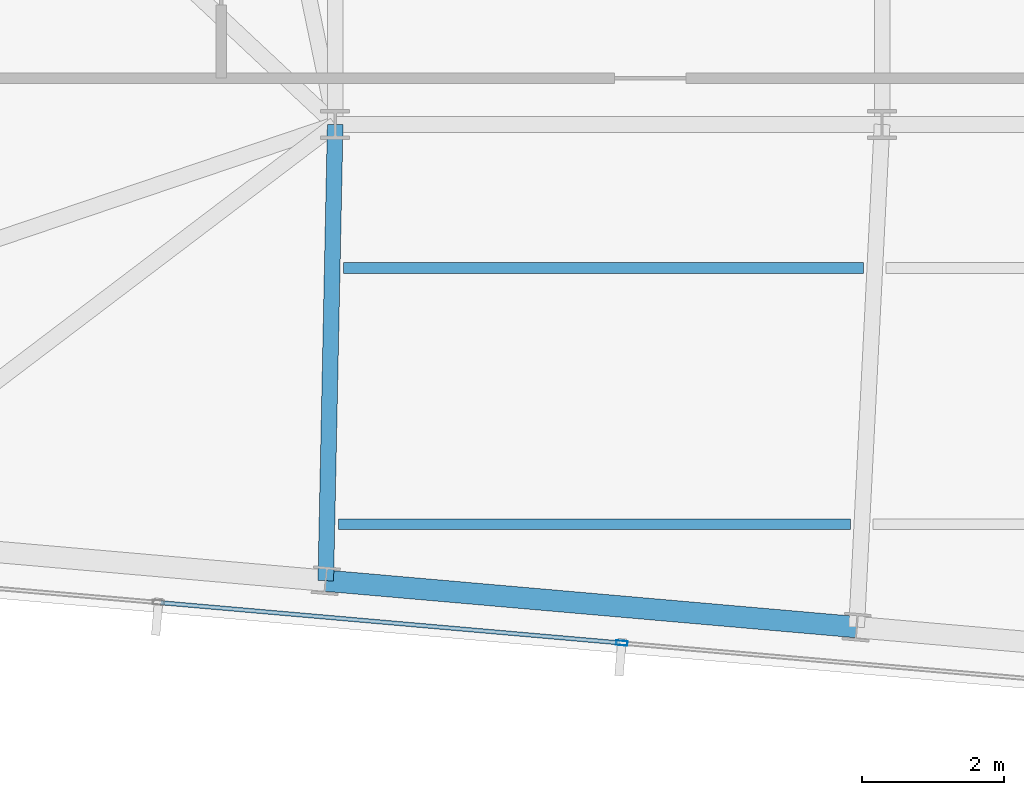
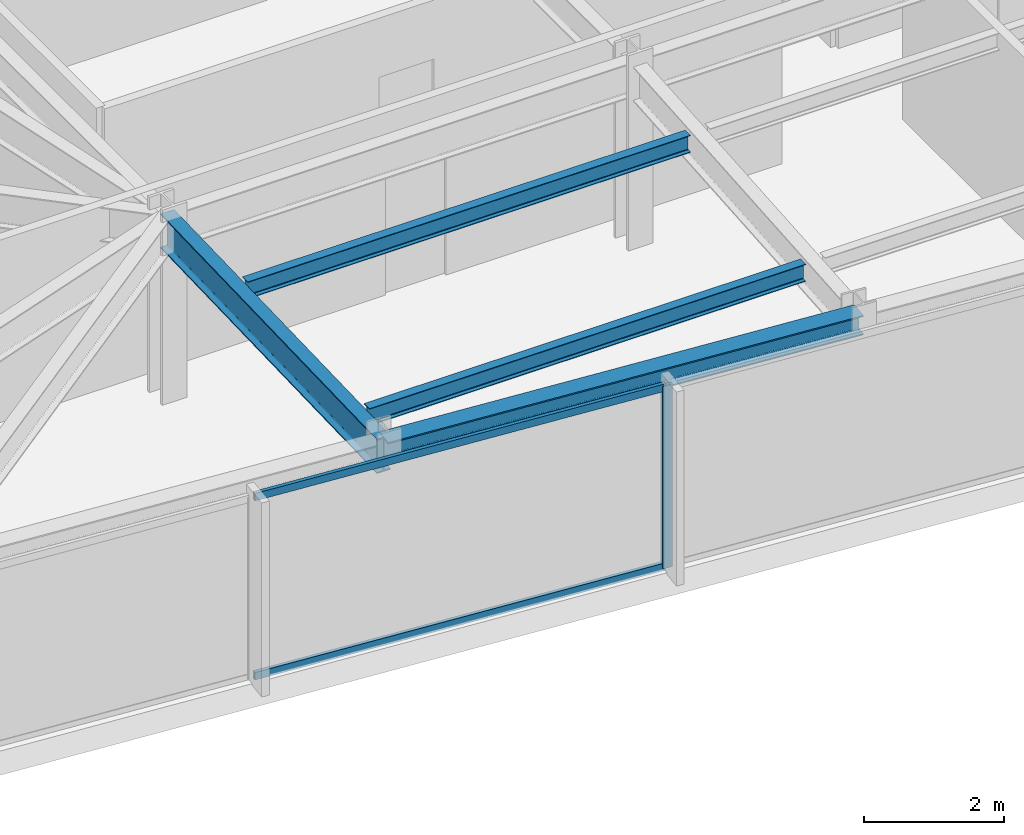
# One storey, part 6 of 32: 4 beams, 3 members, 1 element without a shape of its own.
"""IFC4 building model written with IfcOpenShell, lengths in metres."""

import ifcopenshell
import ifcopenshell.guid

model = None  # the IFC model being written
_history = None  # IfcOwnerHistory: only IFC2X3 demands one
_inside = {}  # id of a spatial element -> (the spatial element, [elements in it])
_under = {}  # id of a project, library or spatial element -> (it, [spatial elements below it])
_declared = {}  # id of a project -> (the project, [libraries it declares])
_typed = {}  # id of a type object -> (the type object, [elements of that type])
_made_of = {}  # id of a material, layer set ... -> (it, [elements and type objects made of it])


def new_model(schema):
    """Start an empty IFC model of exactly this schema.

    Asked for "IFC4X3", IfcOpenShell would pick the latest addendum, in which some entities
    have other attributes; the version numbers below select the first issue.
    IFC2X3 requires an IfcOwnerHistory on every rooted entity: one is made here for all.
    """
    global model, _history
    if schema == "IFC4X3":
        model = ifcopenshell.file(schema_version=(4, 3, 0, 0))
    else:
        model = ifcopenshell.file(schema=schema)
    _inside.clear()
    _under.clear()
    _declared.clear()
    _typed.clear()
    _made_of.clear()
    _history = None
    if model.schema == "IFC2X3":
        org = make("IfcOrganization", Name="unknown")
        user = make(
            "IfcPersonAndOrganization",
            ThePerson=make("IfcPerson", FamilyName="unknown"),
            TheOrganization=org,
        )
        app = make(
            "IfcApplication",
            ApplicationDeveloper=org,
            Version="unknown",
            ApplicationFullName="unknown",
            ApplicationIdentifier="unknown",
        )
        _history = make(
            "IfcOwnerHistory",
            OwningUser=user,
            OwningApplication=app,
            ChangeAction="ADDED",
            CreationDate=0,
        )
    return model


def make(cls, **values):
    """One entity of the class cls with the attributes given. An attribute that is None is left unset."""
    return model.create_entity(
        cls, **{name: value for name, value in values.items() if value is not None}
    )


def rooted(cls, **values):
    """An entity with a GlobalId (a new one), such as an element, a storey or a relation."""
    return make(cls, GlobalId=ifcopenshell.guid.new(), OwnerHistory=_history, **values)


def si_unit(unit_type, name, prefix=None):
    """IfcSIUnit, for example si_unit("LENGTHUNIT", "METRE", prefix="MILLI")."""
    return make("IfcSIUnit", UnitType=unit_type, Prefix=prefix, Name=name)


def assignment(units):
    """IfcUnitAssignment: the units of a project."""
    return None if units is None else make("IfcUnitAssignment", Units=units)


def point(xyz):
    """IfcCartesianPoint."""
    return None if xyz is None else make("IfcCartesianPoint", Coordinates=xyz)


def direction(xyz):
    """IfcDirection."""
    return None if xyz is None else make("IfcDirection", DirectionRatios=xyz)


def frame(location, z_axis=None, x_axis=None):
    """IfcAxis2Placement3D, a coordinate frame: its origin and axes. An axis left out is left unset."""
    return make(
        "IfcAxis2Placement3D",
        Location=point(location),
        Axis=direction(z_axis),
        RefDirection=direction(x_axis),
    )


def frame_2d(location, x_axis=None):
    """IfcAxis2Placement2D, a coordinate frame in the plane: its origin and x axis."""
    return make(
        "IfcAxis2Placement2D", Location=point(location), RefDirection=direction(x_axis)
    )


def origin():
    """The frame at (0, 0, 0) with its axes left unset."""
    return frame((0.0, 0.0, 0.0))


def origin_2d():
    """The frame at (0, 0) in the plane with its x axis left unset."""
    return frame_2d((0.0, 0.0))


def place(relative_to, where):
    """IfcLocalPlacement: puts the frame where relative to a parent placement (None: the world)."""
    return make(
        "IfcLocalPlacement", PlacementRelTo=relative_to, RelativePlacement=where
    )


def context(
    kind, dimensions, precision=None, world=None, true_north=None, identifier=None
):
    """IfcGeometricRepresentationContext, for example the 3D "Model" context."""
    return make(
        "IfcGeometricRepresentationContext",
        ContextIdentifier=identifier,
        ContextType=kind,
        CoordinateSpaceDimension=dimensions,
        Precision=precision,
        WorldCoordinateSystem=world,
        TrueNorth=true_north,
    )


def subcontext(parent, identifier, kind, view, scale=None):
    """IfcGeometricRepresentationSubContext, for example "Body" below "Model"."""
    return make(
        "IfcGeometricRepresentationSubContext",
        ContextIdentifier=identifier,
        ContextType=kind,
        ParentContext=parent,
        TargetScale=scale,
        TargetView=view,
    )


def project(units=None, contexts=None):
    """IfcProject with its units and contexts."""
    return rooted(
        "IfcProject",
        Name="project",
        RepresentationContexts=contexts,
        UnitsInContext=assignment(units),
    )


def spatial(cls, under=None, at=None, **own):
    """A site, building, storey or space (cls), placed at a placement, below another one or the project."""
    s = rooted(cls, ObjectPlacement=at, **own)
    if under is not None:
        _under.setdefault(under.id(), (under, []))[1].append(s)
    return s


def profile(cls, at=None, kind="AREA", **sizes):
    """A parametric profile (cls). Its sizes go by their IFC names, for example OverallWidth=200.0."""
    return make(cls, ProfileType=kind, Position=at, **sizes)


def hollow_rectangle(**sizes):
    """IfcRectangleHollowProfileDef."""
    return profile("IfcRectangleHollowProfileDef", **sizes)


def i_section(**sizes):
    """IfcIShapeProfileDef."""
    return profile("IfcIShapeProfileDef", **sizes)


def extrude(swept, where, along, depth):
    """IfcExtrudedAreaSolid: the profile swept, set in the frame where, extruded along a direction by depth."""
    return make(
        "IfcExtrudedAreaSolid",
        SweptArea=swept,
        Position=where,
        ExtrudedDirection=direction(along),
        Depth=depth,
    )


def shape(context_of_items, identifier, shape_type, items):
    """IfcShapeRepresentation: the items that make up one representation, for example the "Body"."""
    return make(
        "IfcShapeRepresentation",
        ContextOfItems=context_of_items,
        RepresentationIdentifier=identifier,
        RepresentationType=shape_type,
        Items=items,
    )


def material(Name=None, Category=None):
    """IfcMaterial."""
    return make("IfcMaterial", Name=Name, Category=Category)


def material_profile(
    of_material, cross_section, Name=None, Category=None, Priority=None
):
    """IfcMaterialProfile: a cross section and its material."""
    return make(
        "IfcMaterialProfile",
        Name=Name,
        Material=of_material,
        Profile=cross_section,
        Priority=Priority,
        Category=Category,
    )


def profile_set(profiles, Name=None, composite=None):
    """IfcMaterialProfileSet."""
    return make(
        "IfcMaterialProfileSet",
        Name=Name,
        MaterialProfiles=profiles,
        CompositeProfile=composite,
    )


def made_of(thing, what):
    """Note that an element or type object is made of a material, layer set ...; save() writes the relation."""
    if what is not None:
        _made_of.setdefault(what.id(), (what, []))[1].append(thing)
    return thing


def type_object(cls, material=None, **own):
    """A type object (cls), such as IfcWallType, which elements share."""
    return made_of(rooted(cls, **own), material)


def element(
    cls,
    number,
    at=None,
    inside=None,
    cuts=None,
    type_object=None,
    material=None,
    context=None,
    identifier="Body",
    shape_type=None,
    held_by="IfcProductDefinitionShape",
    body=None,
    shapes=None,
    **own,
):
    """One element of the class cls, such as IfcWall. Its Tag is "e" and its number.

    at: its placement. inside: the storey or other place that contains it. cuts: it is an
    opening in that element (IfcRelVoidsElement). A single representation is given by context,
    identifier, shape_type and body (its items); several are given by shapes. held_by: the class
    of the entity that holds the representations. save() writes the other relations.
    """
    e = rooted(cls, Tag="e%d" % number, ObjectPlacement=at, **own)
    if body is not None:
        shapes = [shape(context, identifier, shape_type, body)]
    if shapes is not None:
        e.Representation = make(held_by, Representations=shapes)
    if inside is not None:
        _inside.setdefault(inside.id(), (inside, []))[1].append(e)
    if cuts is not None:
        rooted(
            "IfcRelVoidsElement", RelatingBuildingElement=cuts, RelatedOpeningElement=e
        )
    if type_object is not None:
        _typed.setdefault(type_object.id(), (type_object, []))[1].append(e)
    return made_of(e, material)


def aggregate(whole, parts):
    """IfcRelAggregates: a whole, such as a stair, and the parts it consists of."""
    return rooted("IfcRelAggregates", RelatingObject=whole, RelatedObjects=parts)


def save(model, path):
    """Write the relations noted so far, then the file.

    IfcRelAggregates (storeys below a building ...), IfcRelContainedInSpatialStructure (elements
    in a storey), IfcRelDefinesByType, IfcRelAssociatesMaterial and IfcRelDeclares: one each for
    every whole, place, type object, material and project.
    """
    for whole, parts in _under.values():
        aggregate(whole, parts)
    for where, things in _inside.values():
        rooted(
            "IfcRelContainedInSpatialStructure",
            RelatedElements=things,
            RelatingStructure=where,
        )
    for kind, things in _typed.values():
        rooted("IfcRelDefinesByType", RelatedObjects=things, RelatingType=kind)
    for what, things in _made_of.values():
        rooted("IfcRelAssociatesMaterial", RelatedObjects=things, RelatingMaterial=what)
    for by, libraries in _declared.values():
        rooted("IfcRelDeclares", RelatingContext=by, RelatedDefinitions=libraries)
    model.write(path)


model = new_model("IFC4")

# Units and contexts
model_context = context("Model", 3, precision=1e-05, world=origin(), true_north=direction((0.0, 1.0)))
body_context = subcontext(model_context, "Body", "Model", "MODEL_VIEW")
ifc_project = project(units=[si_unit("LENGTHUNIT", "METRE"), si_unit("AREAUNIT", "SQUARE_METRE"), si_unit("VOLUMEUNIT", "CUBIC_METRE"), si_unit("PLANEANGLEUNIT", "RADIAN"), si_unit("MASSUNIT", "GRAM", prefix="KILO")], contexts=[model_context])

# Site, building, storey
site_placement = place(None, origin())
site = spatial("IfcSite", under=ifc_project, at=site_placement, CompositionType="ELEMENT")
building_placement = place(site_placement, origin())
building = spatial("IfcBuilding", under=site, at=building_placement, Name="Yelkora Congress Tower", CompositionType="ELEMENT")
storey_placement = place(building_placement, frame((0.0, 0.0, 259.10009765625)))
storey = spatial("IfcBuildingStorey", under=building, at=storey_placement, Name="L72", CompositionType="ELEMENT", Elevation=259.10009765625)

# Beams
ifc_material_1 = material(Name="Steel S355J2", Category="steel")
ifc_material_profile_1 = material_profile(ifc_material_1, i_section(OverallWidth=0.219970703125, OverallDepth=0.60009765625, WebThickness=0.011962890625, FlangeThickness=0.01904296875, FilletRadius=0.02392578125, at=origin_2d()), Name="IPE 600")
ifc_profile_set_1 = profile_set([ifc_material_profile_1], Name="Steel S355J2")
beam_type_1 = type_object("IfcBeamType", Name="BM-GIRD-IPE600", PredefinedType="BEAM", material=ifc_profile_set_1)
beam_1_placement = place(storey_placement, frame((22.90771484375, 18.793212890625, 2.8798828125), z_axis=(0.020649509667, 0.999786776143, 0.0), x_axis=(-0.999786776143, 0.020649509667, 0.0)))
element("IfcBeam", 1, at=beam_1_placement, inside=storey, type_object=beam_type_1, Name="L72 Primary Frame Girder S03", PredefinedType="BEAM", context=body_context, shape_type="SweptSolid", body=[
    extrude(i_section(OverallWidth=0.219970703125, OverallDepth=0.60009765625, WebThickness=0.011962890625, FlangeThickness=0.01904296875, FilletRadius=0.02392578125, at=origin_2d()), origin(), (0.0, 0.0, 1.0), 6.408203125),
])
ifc_material_profile_2 = material_profile(ifc_material_1, i_section(OverallWidth=0.14990234375, OverallDepth=0.300048828125, WebThickness=0.007080078125, FlangeThickness=0.0107421875, FilletRadius=0.014892578125, at=origin_2d()), Name="IPE 300")
ifc_profile_set_2 = profile_set([ifc_material_profile_2], Name="Steel S355J2")
beam_type_2 = type_object("IfcBeamType", Name="BM-JOIST-IPE300", PredefinedType="JOIST", material=ifc_profile_set_2)
beam_2_placement = place(storey_placement, frame((23.083984375, 19.58447265625, 3.02978515625), z_axis=(1.0, 0.0, 0.0), x_axis=(0.0, 1.0, 0.0)))
element("IfcBeam", 2, at=beam_2_placement, inside=storey, type_object=beam_type_2, Name="L72 Composite Floor Joist 1", PredefinedType="JOIST", context=body_context, shape_type="SweptSolid", body=[
    extrude(i_section(OverallWidth=0.14990234375, OverallDepth=0.300048828125, WebThickness=0.007080078125, FlangeThickness=0.0107421875, FilletRadius=0.014892578125, at=origin_2d()), origin(), (0.0, 0.0, 1.0), 7.191650390625),
])
beam_3_placement = place(storey_placement, frame((23.158447265625, 23.1845703125, 3.02978515625), z_axis=(1.0, 0.0, 0.0), x_axis=(0.0, 1.0, 0.0)))
element("IfcBeam", 3, at=beam_3_placement, inside=storey, type_object=beam_type_2, Name="L72 Composite Floor Joist 5", PredefinedType="JOIST", context=body_context, shape_type="SweptSolid", body=[
    extrude(i_section(OverallWidth=0.14990234375, OverallDepth=0.300048828125, WebThickness=0.007080078125, FlangeThickness=0.0107421875, FilletRadius=0.014892578125, at=origin_2d()), origin(), (0.0, 0.0, 1.0), 7.299560546875),
])
ifc_material_profile_3 = material_profile(ifc_material_1, i_section(OverallWidth=0.300048828125, OverallDepth=0.340087890625, WebThickness=0.011962890625, FlangeThickness=0.021484375, FilletRadius=0.027099609375, at=origin_2d()), Name="HEB 340")
ifc_profile_set_3 = profile_set([ifc_material_profile_3], Name="Steel S355J2")
beam_type_3 = type_object("IfcBeamType", Name="BM-SPAN-HEB340", PredefinedType="SPANDREL", material=ifc_profile_set_3)
beam_4_placement = place(storey_placement, frame((22.90771484375, 18.793212890625, 3.010009765625), z_axis=(0.99619601894, -0.087140644067, 0.0), x_axis=(0.087140644067, 0.99619601894, 0.0)))
element("IfcBeam", 4, at=beam_4_placement, inside=storey, type_object=beam_type_3, Name="L72 Perimeter Beam 3", PredefinedType="SPANDREL", context=body_context, shape_type="SweptSolid", body=[
    extrude(i_section(OverallWidth=0.300048828125, OverallDepth=0.340087890625, WebThickness=0.011962890625, FlangeThickness=0.021484375, FilletRadius=0.027099609375, at=origin_2d()), origin(), (0.0, 0.0, 1.0), 7.4833984375),
])

# Curtain wall, members
ifc_material_2 = material(Name="Anodised aluminium and insulated glass", Category="aluminium")
curtain_wall_type = type_object("IfcCurtainWallType", Name="CW-SYS-B5", PredefinedType="NOTDEFINED", material=ifc_material_2)
curtain_wall_placement = place(storey_placement, origin())
curtain_wall = element("IfcCurtainWall", 5, at=curtain_wall_placement, inside=storey, type_object=curtain_wall_type, Name="L72 Unitised Curtain Wall 20", PredefinedType="NOTDEFINED")
ifc_material_3 = material(Name="Anodised aluminium 6063-T6", Category="aluminium")
ifc_material_profile_4 = material_profile(ifc_material_3, hollow_rectangle(XDim=0.06494140625, YDim=0.159912109375, WallThickness=0.00390625, at=origin_2d()), Name="ALU 65x160x4")
ifc_profile_set_4 = profile_set([ifc_material_profile_4], Name="Anodised aluminium 6063-T6")
member_type_1 = type_object("IfcMemberType", Name="MEM-ML-B5", PredefinedType="MULLION", material=ifc_profile_set_4)
member_1_placement = place(storey_placement, frame((27.06494140625, 17.917724609375, 0.0), z_axis=(0.0, 0.0, 1.0), x_axis=(-0.087156829793, -0.996194602987, 0.0)))
member_1 = element("IfcMember", 6, at=member_1_placement, type_object=member_type_1, Name="CW-B5 mullion 5", PredefinedType="MULLION", context=body_context, shape_type="SweptSolid", body=[
    extrude(hollow_rectangle(XDim=0.06494140625, YDim=0.159912109375, WallThickness=0.00390625, at=origin_2d()), origin(), (0.0, 0.0, 1.0), 3.179931640625),
])
ifc_material_profile_5 = material_profile(ifc_material_3, hollow_rectangle(XDim=0.06005859375, YDim=0.1298828125, WallThickness=0.00390625, at=origin_2d()), Name="ALU 60x130x4")
ifc_profile_set_5 = profile_set([ifc_material_profile_5], Name="Anodised aluminium 6063-T6")
member_type_2 = type_object("IfcMemberType", Name="MEM-TR-B5", PredefinedType="USERDEFINED", material=ifc_profile_set_5)
member_2_placement = place(storey_placement, frame((27.032470703125, 17.920654296875, 0.02978515625), z_axis=(-0.996196257862, 0.087137912649, 0.0), x_axis=(-0.087137912649, -0.996196257862, 0.0)))
member_2 = element("IfcMember", 7, at=member_2_placement, type_object=member_type_2, Name="CW-B5 transom 5.1", ObjectType="TRANSOM", PredefinedType="USERDEFINED", context=body_context, shape_type="SweptSolid", body=[
    extrude(hollow_rectangle(XDim=0.06005859375, YDim=0.1298828125, WallThickness=0.00390625, at=origin_2d()), origin(), (0.0, 0.0, 1.0), 6.466552734375),
])
member_3_placement = place(storey_placement, frame((27.032470703125, 17.920654296875, 3.14990234375), z_axis=(-0.996196257862, 0.087137912649, 0.0), x_axis=(-0.087137912649, -0.996196257862, 0.0)))
member_3 = element("IfcMember", 8, at=member_3_placement, type_object=member_type_2, Name="CW-B5 transom 5.2", ObjectType="TRANSOM", PredefinedType="USERDEFINED", context=body_context, shape_type="SweptSolid", body=[
    extrude(hollow_rectangle(XDim=0.06005859375, YDim=0.1298828125, WallThickness=0.00390625, at=origin_2d()), origin(), (0.0, 0.0, 1.0), 6.466552734375),
])
aggregate(curtain_wall, [member_1, member_2, member_3])

save(model, "model.ifc")
